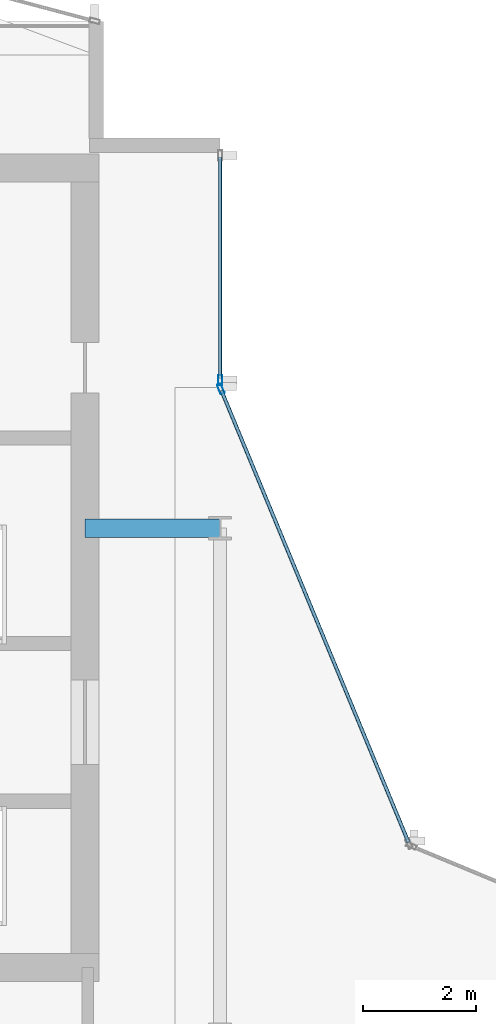
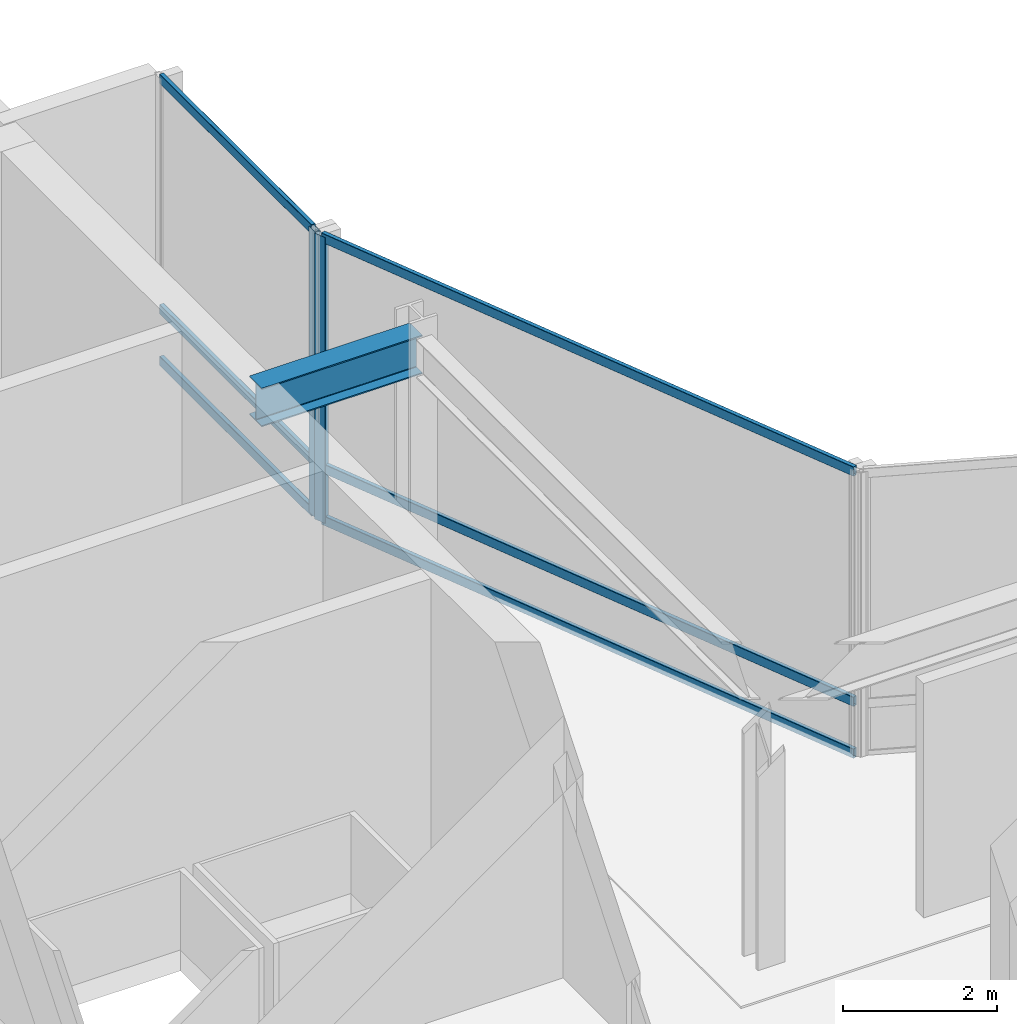
# One storey, part 17 of 30: 8 members, 1 beam, 2 elements without a shape of their own.
"""IFC4 building model written with IfcOpenShell, lengths in metres."""

from ifc_helpers import new_model, si_unit, direction, frame, origin, origin_2d, place, context, subcontext, project, spatial, hollow_rectangle, i_section, extrude, material, layer, layer_set, material_profile, profile_set, type_object, element, aggregate, save


model = new_model("IFC4")

# Units and contexts
model_context = context("Model", 3, precision=1e-05, world=origin(), true_north=direction((0.0, 1.0)))
body_context = subcontext(model_context, "Body", "Model", "MODEL_VIEW")
ifc_project = project(units=[si_unit("LENGTHUNIT", "METRE"), si_unit("AREAUNIT", "SQUARE_METRE"), si_unit("VOLUMEUNIT", "CUBIC_METRE"), si_unit("PLANEANGLEUNIT", "RADIAN"), si_unit("MASSUNIT", "GRAM", prefix="KILO")], contexts=[model_context])

# Site, building, storey
site_placement = place(None, origin())
site = spatial("IfcSite", under=ifc_project, at=site_placement, CompositionType="ELEMENT")
building_placement = place(site_placement, origin())
building = spatial("IfcBuilding", under=site, at=building_placement, Name="Solvaryn Broadcast Tower", CompositionType="ELEMENT")
storey_placement = place(building_placement, frame((0.0, 0.0, 196.39990234375)))
storey = spatial("IfcBuildingStorey", under=building, at=storey_placement, Name="L49", CompositionType="ELEMENT", Elevation=196.39990234375)

# Beam
ifc_material_1 = material(Name="Steel ASTM A992 Grade 50", Category="steel")
ifc_material_profile_1 = material_profile(ifc_material_1, i_section(OverallWidth=0.323974609375, OverallDepth=0.611083984375, WebThickness=0.0126953125, FlangeThickness=0.01904296875, FilletRadius=0.014892578125, at=origin_2d()))
ifc_profile_set_1 = profile_set([ifc_material_profile_1], Name="Steel ASTM A992 Grade 50")
beam_type = type_object("IfcBeamType", Name="BM-B1-W24X104", PredefinedType="BEAM", material=ifc_profile_set_1)
beam_placement = place(storey_placement, frame((24.60009765625, 36.0, 4.214599609375), z_axis=(1.0, 0.0, 0.0), x_axis=(0.0, 1.0, 0.0)))
element("IfcBeam", 1, at=beam_placement, inside=storey, type_object=beam_type, Name="L49 Core Tie Beam CTW2", PredefinedType="BEAM", context=body_context, shape_type="SweptSolid", body=[
    extrude(i_section(OverallWidth=0.323974609375, OverallDepth=0.611083984375, WebThickness=0.0126953125, FlangeThickness=0.01904296875, FilletRadius=0.014892578125, at=origin_2d()), origin(), (0.0, 0.0, 1.0), 2.39990234375),
])

# Curtain wall, member
ifc_material_2 = material(Name="Aluminium and Terracotta Unitised Curtain Wall", Category="masonry")
ifc_layer = layer(ifc_material_2, 0.199951171875)
ifc_layer_set = layer_set([ifc_layer], Name="CW-SYS2-LOWMID")
curtain_wall_type = type_object("IfcCurtainWallType", Name="CW-SYS2-LOWMID", PredefinedType="NOTDEFINED", material=ifc_layer_set)
curtain_wall_1_placement = place(storey_placement, origin())
curtain_wall_1 = element("IfcCurtainWall", 2, at=curtain_wall_1_placement, inside=storey, type_object=curtain_wall_type, Name="L49 Curtain Wall IV", PredefinedType="NOTDEFINED")
ifc_material_3 = material(Name="Anodised Aluminium 6063-T6", Category="aluminium")
ifc_material_profile_2 = material_profile(ifc_material_3, hollow_rectangle(XDim=0.074951171875, YDim=0.179931640625, WallThickness=0.00390625, InnerFilletRadius=0.00390625, OuterFilletRadius=0.008056640625, at=origin_2d()))
ifc_profile_set_2 = profile_set([ifc_material_profile_2], Name="Anodised Aluminium 6063-T6")
member_type_1 = type_object("IfcMemberType", Name="CW-MUL-180", PredefinedType="MULLION", material=ifc_profile_set_2)
member_1_placement = place(storey_placement, frame((27.0, 38.6298828125, 0.0), z_axis=(0.0, 0.0, 1.0), x_axis=(1.0, 0.0, 0.0)))
member_1 = element("IfcMember", 3, at=member_1_placement, type_object=member_type_1, Name="CWS2 mullion 2", PredefinedType="MULLION", context=body_context, shape_type="SweptSolid", body=[
    extrude(hollow_rectangle(XDim=0.074951171875, YDim=0.179931640625, WallThickness=0.00390625, InnerFilletRadius=0.00390625, OuterFilletRadius=0.008056640625, at=origin_2d()), origin(), (0.0, 0.0, 1.0), 4.52001953125),
])

curtain_wall_2_placement = place(storey_placement, origin())
curtain_wall_2 = element("IfcCurtainWall", 4, at=curtain_wall_2_placement, inside=storey, type_object=curtain_wall_type, Name="L49 Curtain Wall CN2", PredefinedType="NOTDEFINED")
member_2_placement = place(storey_placement, frame((27.011474609375, 38.47216796875, 0.0), z_axis=(0.0, 0.0, 1.0), x_axis=(-0.923894983957, -0.382646127145, 0.0)))
member_2 = element("IfcMember", 5, at=member_2_placement, type_object=member_type_1, Name="CWS2 mullion 2", PredefinedType="MULLION", context=body_context, shape_type="SweptSolid", body=[
    extrude(hollow_rectangle(XDim=0.074951171875, YDim=0.179931640625, WallThickness=0.00390625, InnerFilletRadius=0.00390625, OuterFilletRadius=0.008056640625, at=origin_2d()), origin(), (0.0, 0.0, 1.0), 4.52001953125),
])

# Member
ifc_material_4 = material(Name="Anodised Aluminium 6063-T6", Category="aluminium")
ifc_material_profile_3 = material_profile(ifc_material_4, hollow_rectangle(XDim=0.06494140625, YDim=0.14990234375, WallThickness=0.00390625, InnerFilletRadius=0.00390625, OuterFilletRadius=0.008056640625, at=origin_2d()))
ifc_profile_set_3 = profile_set([ifc_material_profile_3], Name="Anodised Aluminium 6063-T6")
member_type_2 = type_object("IfcMemberType", Name="CW-TRN-150", PredefinedType="USERDEFINED", material=ifc_profile_set_3)
member_3_placement = place(storey_placement, frame((27.0, 42.590087890625, 0.030029296875), z_axis=(0.0, -1.0, 0.0), x_axis=(1.0, 0.0, 0.0)))
member_3 = element("IfcMember", 6, at=member_3_placement, type_object=member_type_2, Name="CWS2 transom 1.1", ObjectType="TRANSOM", PredefinedType="USERDEFINED", context=body_context, shape_type="SweptSolid", body=[
    extrude(hollow_rectangle(XDim=0.06494140625, YDim=0.14990234375, WallThickness=0.00390625, InnerFilletRadius=0.00390625, OuterFilletRadius=0.008056640625, at=origin_2d()), origin(), (0.0, 0.0, 1.0), 3.93017578125),
])

member_4_placement = place(storey_placement, frame((27.0, 42.590087890625, 0.85009765625), z_axis=(0.0, -1.0, 0.0), x_axis=(1.0, 0.0, 0.0)))
member_4 = element("IfcMember", 7, at=member_4_placement, type_object=member_type_2, Name="CWS2 transom 1.2", ObjectType="TRANSOM", PredefinedType="USERDEFINED", context=body_context, shape_type="SweptSolid", body=[
    extrude(hollow_rectangle(XDim=0.06494140625, YDim=0.14990234375, WallThickness=0.00390625, InnerFilletRadius=0.00390625, OuterFilletRadius=0.008056640625, at=origin_2d()), origin(), (0.0, 0.0, 1.0), 3.93017578125),
])

member_5_placement = place(storey_placement, frame((27.0, 42.590087890625, 4.489990234375), z_axis=(0.0, -1.0, 0.0), x_axis=(1.0, 0.0, 0.0)))
member_5 = element("IfcMember", 8, at=member_5_placement, type_object=member_type_2, Name="CWS2 transom 1.3", ObjectType="TRANSOM", PredefinedType="USERDEFINED", context=body_context, shape_type="SweptSolid", body=[
    extrude(hollow_rectangle(XDim=0.06494140625, YDim=0.14990234375, WallThickness=0.00390625, InnerFilletRadius=0.00390625, OuterFilletRadius=0.008056640625, at=origin_2d()), origin(), (0.0, 0.0, 1.0), 3.93017578125),
])

aggregate(curtain_wall_1, [member_1, member_3, member_4, member_5])

member_6_placement = place(storey_placement, frame((30.344970703125, 30.42333984375, 0.030029296875), z_axis=(-0.382635748975, 0.923899282177, 0.0), x_axis=(-0.923899282177, -0.382635748975, 0.0)))
member_6 = element("IfcMember", 9, at=member_6_placement, type_object=member_type_2, Name="CWS2 transom 1.1", ObjectType="TRANSOM", PredefinedType="USERDEFINED", context=body_context, shape_type="SweptSolid", body=[
    extrude(hollow_rectangle(XDim=0.06494140625, YDim=0.14990234375, WallThickness=0.00390625, InnerFilletRadius=0.00390625, OuterFilletRadius=0.008056640625, at=origin_2d()), origin(), (0.0, 0.0, 1.0), 8.681884765625),
])

member_7_placement = place(storey_placement, frame((30.344970703125, 30.42333984375, 0.85009765625), z_axis=(-0.382635748975, 0.923899282177, 0.0), x_axis=(-0.923899282177, -0.382635748975, 0.0)))
member_7 = element("IfcMember", 10, at=member_7_placement, type_object=member_type_2, Name="CWS2 transom 1.2", ObjectType="TRANSOM", PredefinedType="USERDEFINED", context=body_context, shape_type="SweptSolid", body=[
    extrude(hollow_rectangle(XDim=0.06494140625, YDim=0.14990234375, WallThickness=0.00390625, InnerFilletRadius=0.00390625, OuterFilletRadius=0.008056640625, at=origin_2d()), origin(), (0.0, 0.0, 1.0), 8.681884765625),
])

member_8_placement = place(storey_placement, frame((30.344970703125, 30.42333984375, 4.489990234375), z_axis=(-0.382635748975, 0.923899282177, 0.0), x_axis=(-0.923899282177, -0.382635748975, 0.0)))
member_8 = element("IfcMember", 11, at=member_8_placement, type_object=member_type_2, Name="CWS2 transom 1.3", ObjectType="TRANSOM", PredefinedType="USERDEFINED", context=body_context, shape_type="SweptSolid", body=[
    extrude(hollow_rectangle(XDim=0.06494140625, YDim=0.14990234375, WallThickness=0.00390625, InnerFilletRadius=0.00390625, OuterFilletRadius=0.008056640625, at=origin_2d()), origin(), (0.0, 0.0, 1.0), 8.681884765625),
])

aggregate(curtain_wall_2, [member_2, member_6, member_7, member_8])

save(model, "model.ifc")
